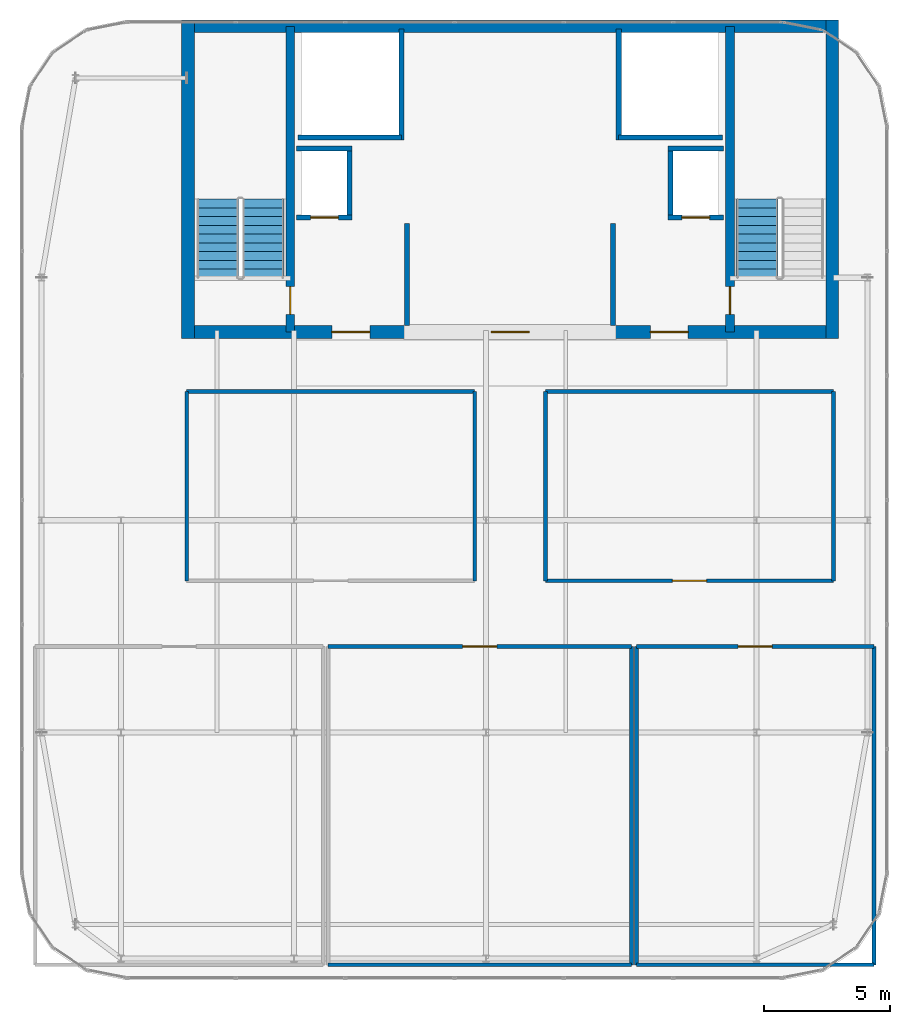
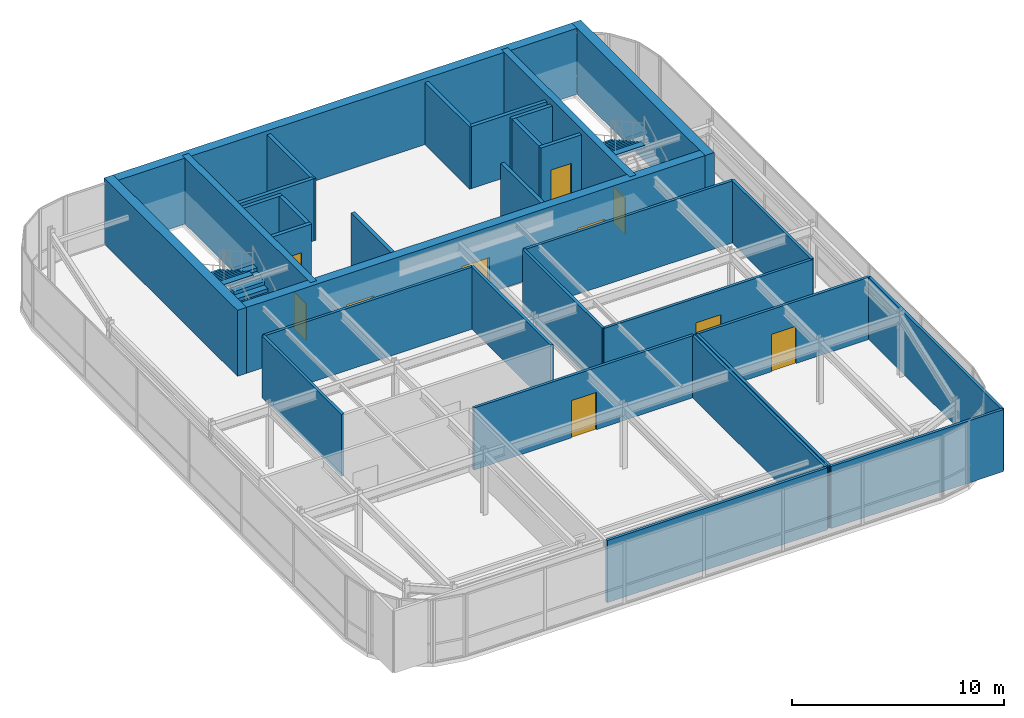
# One storey, part 34 of 36: 32 walls, 10 doors, 3 stair flights, 10 openings, 2 elements without a shape of their own.
"""IFC4 building model written with IfcOpenShell, lengths in metres."""

from ifc_helpers import new_model, si_unit, direction, frame, frame_2d, origin, place, context, subcontext, project, spatial, polyline, rectangle, outline, extrude, source, transform, mapped, material, layer, layer_set, type_object, type_shapes, element, fill, aggregate, save


model = new_model("IFC4")

# Units and contexts
model_context = context("Model", 3, precision=1e-05, world=origin(), true_north=direction((0.0, 1.0)))
body_context = subcontext(model_context, "Body", "Model", "MODEL_VIEW")
ifc_project = project(units=[si_unit("LENGTHUNIT", "METRE"), si_unit("AREAUNIT", "SQUARE_METRE"), si_unit("VOLUMEUNIT", "CUBIC_METRE"), si_unit("PLANEANGLEUNIT", "RADIAN"), si_unit("MASSUNIT", "GRAM", prefix="KILO")], contexts=[model_context])

# Site, building, storey
site_placement = place(None, origin())
site = spatial("IfcSite", under=ifc_project, at=site_placement, CompositionType="ELEMENT")
building_placement = place(site_placement, origin())
building = spatial("IfcBuilding", under=site, at=building_placement, Name="Tolvann Quenvar Hotel", CompositionType="ELEMENT")
storey_placement = place(building_placement, frame((0.0, 0.0, 306.14990234375)))
storey = spatial("IfcBuildingStorey", under=building, at=storey_placement, Name="L81", CompositionType="ELEMENT", Elevation=306.14990234375)

# Wall, openings, doors
ifc_material_1 = material(Name="Concrete N50 (50 MPa)", Category="concrete")
ifc_layer_1 = layer(ifc_material_1, 0.5)
ifc_layer_set_1 = layer_set([ifc_layer_1], Name="Concrete N50 (50 MPa)")
wall_type_1 = type_object("IfcWallType", Name="WALL_CORE_500", PredefinedType="SHEAR", material=ifc_layer_set_1)
wall_1_placement = place(storey_placement, frame((10.0, 31.85009765625, 0.0), z_axis=(0.0, 0.0, 1.0), x_axis=(1.0, 0.0, 0.0)))
wall_1 = element("IfcWall", 1, at=wall_1_placement, inside=storey, type_object=wall_type_1, Name="Rear Core S Shear Wall (L81)", PredefinedType="SHEAR", context=body_context, shape_type="SweptSolid", body=[
    extrude(rectangle(XDim=26.0, YDim=0.5, at=frame_2d((13.0, 0.0))), origin(), (0.0, 0.0, 1.0), 3.800048828125),
])
opening_1_placement = place(wall_1_placement, frame((7.449951171875, 0.0, 0.0), z_axis=(0.0, 0.0, 1.0), x_axis=(-1.0, 0.0, 0.0)))
opening_1 = element("IfcOpeningElement", 2, at=opening_1_placement, cuts=wall_1, Name="Opening FD-60D", PredefinedType="OPENING", context=body_context, shape_type="SweptSolid", body=[
    extrude(rectangle(XDim=1.5, YDim=2.0400390625, at=frame_2d((0.75, 1.02001953125))), frame((0.0, 0.260009765625, 0.0), z_axis=(0.0, -1.0, 0.0), x_axis=(1.0, 0.0, 0.0)), (0.0, 0.0, 1.0), 0.52001953125),
])
opening_2_placement = place(wall_1_placement, frame((13.75, 0.0, 0.0), z_axis=(0.0, 0.0, 1.0), x_axis=(-1.0, 0.0, 0.0)))
opening_2 = element("IfcOpeningElement", 3, at=opening_2_placement, cuts=wall_1, Name="Opening FD-60D", PredefinedType="OPENING", context=body_context, shape_type="SweptSolid", body=[
    extrude(rectangle(XDim=1.5, YDim=2.0400390625, at=frame_2d((0.75, 1.02001953125))), frame((0.0, 0.260009765625, 0.0), z_axis=(0.0, -1.0, 0.0), x_axis=(1.0, 0.0, 0.0)), (0.0, 0.0, 1.0), 0.52001953125),
])
opening_3_placement = place(wall_1_placement, frame((20.050048828125, 0.0, 0.0), z_axis=(0.0, 0.0, 1.0), x_axis=(-1.0, 0.0, 0.0)))
opening_3 = element("IfcOpeningElement", 4, at=opening_3_placement, cuts=wall_1, Name="Opening FD-60D", PredefinedType="OPENING", context=body_context, shape_type="SweptSolid", body=[
    extrude(rectangle(XDim=1.5, YDim=2.0400390625, at=frame_2d((0.75, 1.02001953125))), frame((0.0, 0.260009765625, 0.0), z_axis=(0.0, -1.0, 0.0), x_axis=(1.0, 0.0, 0.0)), (0.0, 0.0, 1.0), 0.52001953125),
])
ifc_material_2 = material(Name="Solid-core American oak acoustic fire door leaf in steel frame", Category="steel")
door_type_1 = type_object("IfcDoorType", Name="DOOR_FIRE_LOBBY_1500", OperationType="NOTDEFINED", PredefinedType="DOOR", material=ifc_material_2)
shared_shape_1 = source(origin(), body_context, "Body", "SweptSolid", [
    extrude(rectangle(XDim=1.5, YDim=2.0400390625, at=frame_2d((0.75, 1.02001953125))), frame((0.0, 0.02490234375, 0.0), z_axis=(0.0, -1.0, 0.0), x_axis=(1.0, 0.0, 0.0)), (0.0, 0.0, 1.0), 0.050048828125),
])
type_shapes(door_type_1, [shared_shape_1])
door_1_placement = place(opening_1_placement, origin())
door_1 = element("IfcDoor", 5, at=door_1_placement, inside=storey, type_object=door_type_1, Name="Core Lobby Fire Door FFW (L81)", OperationType="DOUBLE_DOOR_SINGLE_SWING", OverallHeight=2.0400390625, OverallWidth=1.5, PredefinedType="DOOR", context=body_context, shape_type="MappedRepresentation", body=[
    mapped(shared_shape_1, transform((0.0, 0.0, 0.0), x_axis=(1.0, 0.0, 0.0), y_axis=(0.0, 1.0, 0.0), z_axis=(0.0, 0.0, 1.0), scale=1.0)),
])
fill(opening_1, door_1)
door_2_placement = place(opening_2_placement, origin())
door_2 = element("IfcDoor", 6, at=door_2_placement, inside=storey, type_object=door_type_1, Name="Core Lobby Fire Door CLOB (L81)", OperationType="DOUBLE_DOOR_SINGLE_SWING", OverallHeight=2.0400390625, OverallWidth=1.5, PredefinedType="DOOR", context=body_context, shape_type="MappedRepresentation", body=[
    mapped(shared_shape_1, transform((0.0, 0.0, 0.0), x_axis=(1.0, 0.0, 0.0), y_axis=(0.0, 1.0, 0.0), z_axis=(0.0, 0.0, 1.0), scale=1.0)),
])
fill(opening_2, door_2)
door_3_placement = place(opening_3_placement, origin())
door_3 = element("IfcDoor", 7, at=door_3_placement, inside=storey, type_object=door_type_1, Name="Core Lobby Fire Door FFE (L81)", OperationType="DOUBLE_DOOR_SINGLE_SWING", OverallHeight=2.0400390625, OverallWidth=1.5, PredefinedType="DOOR", context=body_context, shape_type="MappedRepresentation", body=[
    mapped(shared_shape_1, transform((0.0, 0.0, 0.0), x_axis=(1.0, 0.0, 0.0), y_axis=(0.0, 1.0, 0.0), z_axis=(0.0, 0.0, 1.0), scale=1.0)),
])
fill(opening_3, door_3)

# Walls
wall_2_placement = place(storey_placement, frame((10.0, 43.949951171875, 0.0), z_axis=(0.0, 0.0, 1.0), x_axis=(1.0, 0.0, 0.0)))
element("IfcWall", 8, at=wall_2_placement, inside=storey, type_object=wall_type_1, Name="Rear Core N Shear Wall (L81)", PredefinedType="SHEAR", context=body_context, shape_type="SweptSolid", body=[
    extrude(rectangle(XDim=26.0, YDim=0.5, at=frame_2d((13.0, 0.0))), origin(), (0.0, 0.0, 1.0), 3.800048828125),
])
for number, where, z_axis, x_axis, name in (
    (9, (10.25, 31.60009765625, 0.0), (0.0, 0.0, 1.0), (0.0, 1.0, 0.0), "Rear Core W Shear Wall (L81)"),
    (10, (35.75, 31.60009765625, 0.0), (0.0, 0.0, 1.0), (0.0, 1.0, 0.0), "Rear Core E Shear Wall (L81)"),
):
    element("IfcWall", number, at=place(storey_placement, frame(where, z_axis=z_axis, x_axis=x_axis)), inside=storey, type_object=wall_type_1, Name=name, PredefinedType="SHEAR", context=body_context, shape_type="SweptSolid", body=[
        extrude(rectangle(XDim=12.599853515625, YDim=0.5, at=frame_2d((6.2998046875, 0.0))), origin(), (0.0, 0.0, 1.0), 3.800048828125),
    ])

# Wall, opening, door
ifc_material_3 = material(Name="Concrete S65 (65 MPa)", Category="concrete")
ifc_layer_2 = layer(ifc_material_3, 0.35009765625)
ifc_layer_set_2 = layer_set([ifc_layer_2], Name="Concrete S65 (65 MPa)")
wall_type_2 = type_object("IfcWallType", Name="WALL_CORE_INT_350", PredefinedType="SHEAR", material=ifc_layer_set_2)
wall_3_placement = place(storey_placement, frame((14.300048828125, 31.85009765625, 0.0), z_axis=(0.0, 0.0, 1.0), x_axis=(0.0, 1.0, 0.0)))
wall_3 = element("IfcWall", 11, at=wall_3_placement, inside=storey, type_object=wall_type_2, Name="Core Internal Web Shear Wall WEB-W (L81)", PredefinedType="SHEAR", context=body_context, shape_type="SweptSolid", body=[
    extrude(rectangle(XDim=12.099853515625, YDim=0.35009765625, at=frame_2d((6.0498046875, 0.0))), origin(), (0.0, 0.0, 1.0), 3.800048828125),
])
opening_4_placement = place(wall_3_placement, frame((0.699951171875, 0.0, 0.0)))
opening_4 = element("IfcOpeningElement", 12, at=opening_4_placement, cuts=wall_3, Name="Opening FD-120", PredefinedType="OPENING", context=body_context, shape_type="SweptSolid", body=[
    extrude(rectangle(XDim=1.10009765625, YDim=2.1201171875, at=frame_2d((0.550048828125, 1.06005859375))), frame((0.0, 0.18505859375, 0.0), z_axis=(0.0, -1.0, 0.0), x_axis=(1.0, 0.0, 0.0)), (0.0, 0.0, 1.0), 0.3701171875),
])
ifc_material_4 = material(Name="Pressed galvanised steel fire-rated door set", Category="steel")
door_type_2 = type_object("IfcDoorType", Name="DOOR_FIRE_STAIR_1100", OperationType="NOTDEFINED", PredefinedType="DOOR", material=ifc_material_4)
shared_shape_2 = source(origin(), body_context, "Body", "SweptSolid", [
    extrude(rectangle(XDim=1.10009765625, YDim=2.1201171875, at=frame_2d((0.550048828125, 1.06005859375))), frame((0.0, 0.02490234375, 0.0), z_axis=(0.0, -1.0, 0.0), x_axis=(1.0, 0.0, 0.0)), (0.0, 0.0, 1.0), 0.050048828125),
])
type_shapes(door_type_2, [shared_shape_2])
door_4_placement = place(opening_4_placement, origin())
door_4 = element("IfcDoor", 13, at=door_4_placement, inside=storey, type_object=door_type_2, Name="Exit Stair ST-C1 Fire Door (L81)", OperationType="SINGLE_SWING_LEFT", OverallHeight=2.1201171875, OverallWidth=1.10009765625, PredefinedType="DOOR", context=body_context, shape_type="MappedRepresentation", body=[
    mapped(shared_shape_2, transform((0.0, 0.0, 0.0), x_axis=(1.0, 0.0, 0.0), y_axis=(0.0, 1.0, 0.0), z_axis=(0.0, 0.0, 1.0), scale=1.0)),
])
fill(opening_4, door_4)

wall_4_placement = place(storey_placement, frame((31.699951171875, 31.85009765625, 0.0), z_axis=(0.0, 0.0, 1.0), x_axis=(0.0, 1.0, 0.0)))
wall_4 = element("IfcWall", 14, at=wall_4_placement, inside=storey, type_object=wall_type_2, Name="Core Internal Web Shear Wall WEB-E (L81)", PredefinedType="SHEAR", context=body_context, shape_type="SweptSolid", body=[
    extrude(rectangle(XDim=12.099853515625, YDim=0.35009765625, at=frame_2d((6.0498046875, 0.0))), origin(), (0.0, 0.0, 1.0), 3.800048828125),
])
opening_5_placement = place(wall_4_placement, frame((1.800048828125, 0.0, 0.0), z_axis=(0.0, 0.0, 1.0), x_axis=(-1.0, 0.0, 0.0)))
opening_5 = element("IfcOpeningElement", 15, at=opening_5_placement, cuts=wall_4, Name="Opening FD-120", PredefinedType="OPENING", context=body_context, shape_type="SweptSolid", body=[
    extrude(rectangle(XDim=1.10009765625, YDim=2.1201171875, at=frame_2d((0.550048828125, 1.06005859375))), frame((0.0, 0.18505859375, 0.0), z_axis=(0.0, -1.0, 0.0), x_axis=(1.0, 0.0, 0.0)), (0.0, 0.0, 1.0), 0.3701171875),
])
door_5_placement = place(opening_5_placement, origin())
door_5 = element("IfcDoor", 16, at=door_5_placement, inside=storey, type_object=door_type_2, Name="Exit Stair ST-C2 Fire Door (L81)", OperationType="SINGLE_SWING_RIGHT", OverallHeight=2.1201171875, OverallWidth=1.10009765625, PredefinedType="DOOR", context=body_context, shape_type="MappedRepresentation", body=[
    mapped(shared_shape_2, transform((0.0, 0.0, 0.0), x_axis=(1.0, 0.0, 0.0), y_axis=(0.0, 1.0, 0.0), z_axis=(0.0, 0.0, 1.0), scale=1.0)),
])
fill(opening_5, door_5)

# Wall
ifc_material_5 = material(Name="Acoustic twin-stud fire-rated gypsum plasterboard partition")
ifc_layer_3 = layer(ifc_material_5, 0.14990234375)
ifc_layer_set_3 = layer_set([ifc_layer_3], Name="Acoustic twin-stud fire-rated gypsum plasterboard partition")
wall_type_3 = type_object("IfcWallType", Name="WALL_PART_SUITE_150", PredefinedType="PARTITIONING", material=ifc_layer_set_3)
wall_5_placement = place(storey_placement, frame((15.800048828125, 6.800048828125, 0.0), z_axis=(0.0, 0.0, 1.0), x_axis=(1.0, 0.0, 0.0)))
element("IfcWall", 17, at=wall_5_placement, inside=storey, type_object=wall_type_3, Name="Interior Partition PT-SPC-L81-HRC-S", PredefinedType="PARTITIONING", context=body_context, shape_type="SweptSolid", body=[
    extrude(rectangle(XDim=12.0, YDim=0.14990234375, at=frame_2d((6.0, 0.0))), origin(), (0.0, 0.0, 1.0), 3.580078125),
])

# Wall, opening, door
wall_6_placement = place(storey_placement, frame((15.800048828125, 19.39990234375, 0.0), z_axis=(0.0, 0.0, 1.0), x_axis=(1.0, 0.0, 0.0)))
wall_6 = element("IfcWall", 18, at=wall_6_placement, inside=storey, type_object=wall_type_3, Name="Interior Partition PT-SPC-L81-HRC-N", PredefinedType="PARTITIONING", context=body_context, shape_type="SweptSolid", body=[
    extrude(rectangle(XDim=12.0, YDim=0.14990234375, at=frame_2d((6.0, 0.0))), origin(), (0.0, 0.0, 1.0), 3.580078125),
])
opening_6_placement = place(wall_6_placement, frame((5.324951171875, 0.0, 0.0)))
opening_6 = element("IfcOpeningElement", 19, at=opening_6_placement, cuts=wall_6, Name="Opening PD-01", PredefinedType="OPENING", context=body_context, shape_type="SweptSolid", body=[
    extrude(rectangle(XDim=1.35009765625, YDim=2.14990234375, at=frame_2d((0.675048828125, 1.074951171875))), frame((0.0, 0.0849609375, 0.0), z_axis=(0.0, -1.0, 0.0), x_axis=(1.0, 0.0, 0.0)), (0.0, 0.0, 1.0), 0.169921875),
])
door_type_3 = type_object("IfcDoorType", Name="DOOR_PLANT_1350", OperationType="NOTDEFINED", PredefinedType="DOOR", material=ifc_material_4)
shared_shape_3 = source(origin(), body_context, "Body", "SweptSolid", [
    extrude(rectangle(XDim=1.35009765625, YDim=2.14990234375, at=frame_2d((0.675048828125, 1.074951171875))), frame((0.0, 0.02490234375, 0.0), z_axis=(0.0, -1.0, 0.0), x_axis=(1.0, 0.0, 0.0)), (0.0, 0.0, 1.0), 0.050048828125),
])
type_shapes(door_type_3, [shared_shape_3])
door_6_placement = place(opening_6_placement, origin())
door_6 = element("IfcDoor", 20, at=door_6_placement, inside=storey, type_object=door_type_3, Name="Interior Door DOOR-SPC-L81-HRC", OperationType="DOUBLE_DOOR_SINGLE_SWING", OverallHeight=2.14990234375, OverallWidth=1.35009765625, PredefinedType="DOOR", context=body_context, shape_type="MappedRepresentation", body=[
    mapped(shared_shape_3, transform((0.0, 0.0, 0.0), x_axis=(1.0, 0.0, 0.0), y_axis=(0.0, 1.0, 0.0), z_axis=(0.0, 0.0, 1.0), scale=1.0)),
])
fill(opening_6, door_6)

# Walls
wall_7_placement = place(storey_placement, frame((27.800048828125, 6.800048828125, 0.0), z_axis=(0.0, 0.0, 1.0), x_axis=(0.0, 1.0, 0.0)))
element("IfcWall", 21, at=wall_7_placement, inside=storey, type_object=wall_type_3, Name="Interior Partition PT-SPC-L81-HRC-E", PredefinedType="PARTITIONING", context=body_context, shape_type="SweptSolid", body=[
    extrude(rectangle(XDim=12.599853515625, YDim=0.14990234375, at=frame_2d((6.2998046875, 0.0))), origin(), (0.0, 0.0, 1.0), 3.580078125),
])
wall_8_placement = place(storey_placement, frame((28.0, 6.800048828125, 0.0), z_axis=(0.0, 0.0, 1.0), x_axis=(1.0, 0.0, 0.0)))
element("IfcWall", 22, at=wall_8_placement, inside=storey, type_object=wall_type_3, Name="Interior Partition PT-SPC-L81-PMP-S", PredefinedType="PARTITIONING", context=body_context, shape_type="SweptSolid", body=[
    extrude(rectangle(XDim=9.39990234375, YDim=0.14990234375, at=frame_2d((4.699951171875, 0.0))), origin(), (0.0, 0.0, 1.0), 3.580078125),
])

# Wall, opening, door
wall_9_placement = place(storey_placement, frame((28.0, 19.39990234375, 0.0), z_axis=(0.0, 0.0, 1.0), x_axis=(1.0, 0.0, 0.0)))
wall_9 = element("IfcWall", 23, at=wall_9_placement, inside=storey, type_object=wall_type_3, Name="Interior Partition PT-SPC-L81-PMP-N", PredefinedType="PARTITIONING", context=body_context, shape_type="SweptSolid", body=[
    extrude(rectangle(XDim=9.39990234375, YDim=0.14990234375, at=frame_2d((4.699951171875, 0.0))), origin(), (0.0, 0.0, 1.0), 3.580078125),
])
opening_7_placement = place(wall_9_placement, frame((4.02490234375, 0.0, 0.0)))
opening_7 = element("IfcOpeningElement", 24, at=opening_7_placement, cuts=wall_9, Name="Opening PD-01", PredefinedType="OPENING", context=body_context, shape_type="SweptSolid", body=[
    extrude(rectangle(XDim=1.35009765625, YDim=2.14990234375, at=frame_2d((0.675048828125, 1.074951171875))), frame((0.0, 0.0849609375, 0.0), z_axis=(0.0, -1.0, 0.0), x_axis=(1.0, 0.0, 0.0)), (0.0, 0.0, 1.0), 0.169921875),
])
door_7_placement = place(opening_7_placement, origin())
door_7 = element("IfcDoor", 25, at=door_7_placement, inside=storey, type_object=door_type_3, Name="Interior Door DOOR-SPC-L81-PMP", OperationType="DOUBLE_DOOR_SINGLE_SWING", OverallHeight=2.14990234375, OverallWidth=1.35009765625, PredefinedType="DOOR", context=body_context, shape_type="MappedRepresentation", body=[
    mapped(shared_shape_3, transform((0.0, 0.0, 0.0), x_axis=(1.0, 0.0, 0.0), y_axis=(0.0, 1.0, 0.0), z_axis=(0.0, 0.0, 1.0), scale=1.0)),
])
fill(opening_7, door_7)

# Walls
for number, where, z_axis, x_axis, name in (
    (26, (28.0, 6.800048828125, 0.0), (0.0, 0.0, 1.0), (0.0, 1.0, 0.0), "Interior Partition PT-SPC-L81-PMP-W"),
    (27, (37.39990234375, 6.800048828125, 0.0), (0.0, 0.0, 1.0), (0.0, 1.0, 0.0), "Interior Partition PT-SPC-L81-PMP-E"),
):
    element("IfcWall", number, at=place(storey_placement, frame(where, z_axis=z_axis, x_axis=x_axis)), inside=storey, type_object=wall_type_3, Name=name, PredefinedType="PARTITIONING", context=body_context, shape_type="SweptSolid", body=[
        extrude(rectangle(XDim=12.599853515625, YDim=0.14990234375, at=frame_2d((6.2998046875, 0.0))), origin(), (0.0, 0.0, 1.0), 3.580078125),
    ])
wall_10_placement = place(storey_placement, frame((10.199951171875, 29.5, 0.0), z_axis=(0.0, 0.0, 1.0), x_axis=(1.0, 0.0, 0.0)))
element("IfcWall", 28, at=wall_10_placement, inside=storey, type_object=wall_type_3, Name="Interior Partition PT-SPC-L81-MNT-N", PredefinedType="PARTITIONING", context=body_context, shape_type="SweptSolid", body=[
    extrude(rectangle(XDim=11.400146484375, YDim=0.14990234375, at=frame_2d((5.7001953125, 0.0))), origin(), (0.0, 0.0, 1.0), 3.580078125),
])
for number, where, z_axis, x_axis, name in (
    (29, (10.199951171875, 22.0, 0.0), (0.0, 0.0, 1.0), (0.0, 1.0, 0.0), "Interior Partition PT-SPC-L81-MNT-W"),
    (30, (21.60009765625, 22.0, 0.0), (0.0, 0.0, 1.0), (0.0, 1.0, 0.0), "Interior Partition PT-SPC-L81-MNT-E"),
):
    element("IfcWall", number, at=place(storey_placement, frame(where, z_axis=z_axis, x_axis=x_axis)), inside=storey, type_object=wall_type_3, Name=name, PredefinedType="PARTITIONING", context=body_context, shape_type="SweptSolid", body=[
        extrude(rectangle(XDim=7.5, YDim=0.14990234375, at=frame_2d((3.75, 0.0))), origin(), (0.0, 0.0, 1.0), 3.580078125),
    ])

# Wall, opening, door
wall_11_placement = place(storey_placement, frame((24.39990234375, 22.0, 0.0), z_axis=(0.0, 0.0, 1.0), x_axis=(1.0, 0.0, 0.0)))
wall_11 = element("IfcWall", 31, at=wall_11_placement, inside=storey, type_object=wall_type_3, Name="Interior Partition PT-SPC-L81-SOL-S", PredefinedType="PARTITIONING", context=body_context, shape_type="SweptSolid", body=[
    extrude(rectangle(XDim=11.400146484375, YDim=0.14990234375, at=frame_2d((5.7001953125, 0.0))), origin(), (0.0, 0.0, 1.0), 3.580078125),
])
opening_8_placement = place(wall_11_placement, frame((5.02490234375, 0.0, 0.0)))
opening_8 = element("IfcOpeningElement", 32, at=opening_8_placement, cuts=wall_11, Name="Opening PD-01", PredefinedType="OPENING", context=body_context, shape_type="SweptSolid", body=[
    extrude(rectangle(XDim=1.35009765625, YDim=2.14990234375, at=frame_2d((0.675048828125, 1.074951171875))), frame((0.0, 0.0849609375, 0.0), z_axis=(0.0, -1.0, 0.0), x_axis=(1.0, 0.0, 0.0)), (0.0, 0.0, 1.0), 0.169921875),
])
door_8_placement = place(opening_8_placement, origin())
door_8 = element("IfcDoor", 33, at=door_8_placement, inside=storey, type_object=door_type_3, Name="Interior Door DOOR-SPC-L81-SOL", OperationType="DOUBLE_DOOR_SINGLE_SWING", OverallHeight=2.14990234375, OverallWidth=1.35009765625, PredefinedType="DOOR", context=body_context, shape_type="MappedRepresentation", body=[
    mapped(shared_shape_3, transform((0.0, 0.0, 0.0), x_axis=(1.0, 0.0, 0.0), y_axis=(0.0, 1.0, 0.0), z_axis=(0.0, 0.0, 1.0), scale=1.0)),
])
fill(opening_8, door_8)

# Walls
wall_12_placement = place(storey_placement, frame((24.39990234375, 29.5, 0.0), z_axis=(0.0, 0.0, 1.0), x_axis=(1.0, 0.0, 0.0)))
element("IfcWall", 34, at=wall_12_placement, inside=storey, type_object=wall_type_3, Name="Interior Partition PT-SPC-L81-SOL-N", PredefinedType="PARTITIONING", context=body_context, shape_type="SweptSolid", body=[
    extrude(rectangle(XDim=11.400146484375, YDim=0.14990234375, at=frame_2d((5.7001953125, 0.0))), origin(), (0.0, 0.0, 1.0), 3.580078125),
])
for number, where, z_axis, x_axis, name in (
    (35, (24.39990234375, 22.0, 0.0), (0.0, 0.0, 1.0), (0.0, 1.0, 0.0), "Interior Partition PT-SPC-L81-SOL-W"),
    (36, (35.800048828125, 22.0, 0.0), (0.0, 0.0, 1.0), (0.0, 1.0, 0.0), "Interior Partition PT-SPC-L81-SOL-E"),
):
    element("IfcWall", number, at=place(storey_placement, frame(where, z_axis=z_axis, x_axis=x_axis)), inside=storey, type_object=wall_type_3, Name=name, PredefinedType="PARTITIONING", context=body_context, shape_type="SweptSolid", body=[
        extrude(rectangle(XDim=7.5, YDim=0.14990234375, at=frame_2d((3.75, 0.0))), origin(), (0.0, 0.0, 1.0), 3.580078125),
    ])
ifc_material_6 = material(Name="Concrete N40 (40 MPa)", Category="concrete")
ifc_layer_4 = layer(ifc_material_6, 0.199951171875)
ifc_layer_set_4 = layer_set([ifc_layer_4], Name="Concrete N40 (40 MPa)")
wall_type_4 = type_object("IfcWallType", Name="WALL_SHAFT_200", PredefinedType="SOLIDWALL", material=ifc_layer_set_4)
wall_13_placement = place(storey_placement, frame((18.699951171875, 39.449951171875, 0.0), z_axis=(0.0, 0.0, 1.0), x_axis=(0.0, 1.0, 0.0)))
element("IfcWall", 37, at=wall_13_placement, inside=storey, type_object=wall_type_4, Name="Service Riser W Shaft Wall IN (L81)", PredefinedType="SOLIDWALL", context=body_context, shape_type="SweptSolid", body=[
    extrude(rectangle(XDim=4.400146484375, YDim=0.199951171875, at=frame_2d((2.2001953125, 0.0))), origin(), (0.0, 0.0, 1.0), 3.580078125),
])
wall_14_placement = place(storey_placement, frame((14.60009765625, 39.550048828125, 0.0), z_axis=(0.0, 0.0, 1.0), x_axis=(1.0, 0.0, 0.0)))
element("IfcWall", 38, at=wall_14_placement, inside=storey, type_object=wall_type_4, Name="Service Riser W Shaft Wall S (L81)", PredefinedType="SOLIDWALL", context=body_context, shape_type="SweptSolid", body=[
    extrude(rectangle(XDim=4.099853515625, YDim=0.199951171875, at=frame_2d((2.0498046875, 0.0))), origin(), (0.0, 0.0, 1.0), 3.580078125),
])
wall_15_placement = place(storey_placement, frame((27.300048828125, 39.449951171875, 0.0), z_axis=(0.0, 0.0, 1.0), x_axis=(0.0, 1.0, 0.0)))
element("IfcWall", 39, at=wall_15_placement, inside=storey, type_object=wall_type_4, Name="Service Riser E Shaft Wall IN (L81)", PredefinedType="SOLIDWALL", context=body_context, shape_type="SweptSolid", body=[
    extrude(rectangle(XDim=4.400146484375, YDim=0.199951171875, at=frame_2d((2.2001953125, 0.0))), origin(), (0.0, 0.0, 1.0), 3.580078125),
])
wall_16_placement = place(storey_placement, frame((27.300048828125, 39.550048828125, 0.0), z_axis=(0.0, 0.0, 1.0), x_axis=(1.0, 0.0, 0.0)))
element("IfcWall", 40, at=wall_16_placement, inside=storey, type_object=wall_type_4, Name="Service Riser E Shaft Wall S (L81)", PredefinedType="SOLIDWALL", context=body_context, shape_type="SweptSolid", body=[
    extrude(rectangle(XDim=4.099853515625, YDim=0.199951171875, at=frame_2d((2.0498046875, 0.0))), origin(), (0.0, 0.0, 1.0), 3.580078125),
])
for number, where, z_axis, x_axis, name in (
    (41, (18.919921875, 32.10400390625, 0.0), (0.0, 0.0, 1.0), (0.0, 1.0, 0.0), "Firefighting Lobby W Inner Fire Wall (L81)"),
    (42, (27.080078125, 32.10400390625, 0.0), (0.0, 0.0, 1.0), (0.0, 1.0, 0.0), "Firefighting Lobby E Inner Fire Wall (L81)"),
):
    element("IfcWall", number, at=place(storey_placement, frame(where, z_axis=z_axis, x_axis=x_axis)), inside=storey, type_object=wall_type_4, Name=name, PredefinedType="SOLIDWALL", context=body_context, shape_type="SweptSolid", body=[
        extrude(rectangle(XDim=4.0458984375, YDim=0.199951171875, at=frame_2d((2.02294921875, 0.0))), origin(), (0.0, 0.0, 1.0), 3.580078125),
    ])

# Wall, opening, door
wall_17_placement = place(storey_placement, frame((29.25, 36.3798828125, 0.0), z_axis=(0.0, 0.0, 1.0), x_axis=(1.0, 0.0, 0.0)))
wall_17 = element("IfcWall", 43, at=wall_17_placement, inside=storey, type_object=wall_type_4, Name="Lift Bank SEC1 Hoistway Front Wall (L81)", PredefinedType="SOLIDWALL", context=body_context, shape_type="SweptSolid", body=[
    extrude(rectangle(XDim=2.199951171875, YDim=0.199951171875, at=frame_2d((1.10009765625, 0.0))), origin(), (0.0, 0.0, 1.0), 3.580078125),
])
opening_9_placement = place(wall_17_placement, frame((0.550048828125, 0.0, 0.0)))
opening_9 = element("IfcOpeningElement", 44, at=opening_9_placement, cuts=wall_17, Name="Opening LD-01", PredefinedType="OPENING", context=body_context, shape_type="SweptSolid", body=[
    extrude(rectangle(XDim=1.10009765625, YDim=2.1201171875, at=frame_2d((0.550048828125, 1.06005859375))), frame((0.0, 0.10986328125, 0.0), z_axis=(0.0, -1.0, 0.0), x_axis=(1.0, 0.0, 0.0)), (0.0, 0.0, 1.0), 0.219970703125),
])
ifc_material_7 = material(Name="Brushed 316 stainless steel automatic sliding lift landing door", Category="steel")
door_type_4 = type_object("IfcDoorType", Name="DOOR_LIFT_SLIDE_1100", OperationType="NOTDEFINED", PredefinedType="DOOR", material=ifc_material_7)
shared_shape_4 = source(origin(), body_context, "Body", "SweptSolid", [
    extrude(rectangle(XDim=1.10009765625, YDim=2.1201171875, at=frame_2d((0.550048828125, 1.06005859375))), frame((0.0, 0.02490234375, 0.0), z_axis=(0.0, -1.0, 0.0), x_axis=(1.0, 0.0, 0.0)), (0.0, 0.0, 1.0), 0.050048828125),
])
type_shapes(door_type_4, [shared_shape_4])
door_9_placement = place(opening_9_placement, origin())
door_9 = element("IfcDoor", 45, at=door_9_placement, inside=storey, type_object=door_type_4, Name="Lift FF-2 Sliding Landing Door (L81)", OperationType="SLIDING_TO_RIGHT", OverallHeight=2.1201171875, OverallWidth=1.10009765625, PredefinedType="DOOR", context=body_context, shape_type="MappedRepresentation", body=[
    mapped(shared_shape_4, transform((0.0, 0.0, 0.0), x_axis=(1.0, 0.0, 0.0), y_axis=(0.0, 1.0, 0.0), z_axis=(0.0, 0.0, 1.0), scale=1.0)),
])
fill(opening_9, door_9)

# Walls
wall_18_placement = place(storey_placement, frame((29.25, 39.1201171875, 0.0), z_axis=(0.0, 0.0, 1.0), x_axis=(1.0, 0.0, 0.0)))
element("IfcWall", 46, at=wall_18_placement, inside=storey, type_object=wall_type_4, Name="Lift Bank SEC1 Hoistway Rear Wall (L81)", PredefinedType="SOLIDWALL", context=body_context, shape_type="SweptSolid", body=[
    extrude(rectangle(XDim=2.199951171875, YDim=0.199951171875, at=frame_2d((1.10009765625, 0.0))), origin(), (0.0, 0.0, 1.0), 3.580078125),
])
wall_19_placement = place(storey_placement, frame((29.35009765625, 36.47998046875, 0.0), z_axis=(0.0, 0.0, 1.0), x_axis=(0.0, 1.0, 0.0)))
element("IfcWall", 47, at=wall_19_placement, inside=storey, type_object=wall_type_4, Name="Lift Bank SEC1 Hoistway Cheek Wall 1 (L81)", PredefinedType="SOLIDWALL", context=body_context, shape_type="SweptSolid", body=[
    extrude(rectangle(XDim=2.5400390625, YDim=0.199951171875, at=frame_2d((1.27001953125, 0.0))), origin(), (0.0, 0.0, 1.0), 3.580078125),
])

# Wall, opening, door
wall_20_placement = place(storey_placement, frame((14.550048828125, 36.3798828125, 0.0), z_axis=(0.0, 0.0, 1.0), x_axis=(1.0, 0.0, 0.0)))
wall_20 = element("IfcWall", 48, at=wall_20_placement, inside=storey, type_object=wall_type_4, Name="Lift Bank SWC1 Hoistway Front Wall (L81)", PredefinedType="SOLIDWALL", context=body_context, shape_type="SweptSolid", body=[
    extrude(rectangle(XDim=2.199951171875, YDim=0.199951171875, at=frame_2d((1.10009765625, 0.0))), origin(), (0.0, 0.0, 1.0), 3.580078125),
])
opening_10_placement = place(wall_20_placement, frame((0.550048828125, 0.0, 0.0)))
opening_10 = element("IfcOpeningElement", 49, at=opening_10_placement, cuts=wall_20, Name="Opening LD-01", PredefinedType="OPENING", context=body_context, shape_type="SweptSolid", body=[
    extrude(rectangle(XDim=1.10009765625, YDim=2.1201171875, at=frame_2d((0.550048828125, 1.06005859375))), frame((0.0, 0.10986328125, 0.0), z_axis=(0.0, -1.0, 0.0), x_axis=(1.0, 0.0, 0.0)), (0.0, 0.0, 1.0), 0.219970703125),
])
door_10_placement = place(opening_10_placement, origin())
door_10 = element("IfcDoor", 50, at=door_10_placement, inside=storey, type_object=door_type_4, Name="Lift FF-1 Sliding Landing Door (L81)", OperationType="SLIDING_TO_LEFT", OverallHeight=2.1201171875, OverallWidth=1.10009765625, PredefinedType="DOOR", context=body_context, shape_type="MappedRepresentation", body=[
    mapped(shared_shape_4, transform((0.0, 0.0, 0.0), x_axis=(1.0, 0.0, 0.0), y_axis=(0.0, 1.0, 0.0), z_axis=(0.0, 0.0, 1.0), scale=1.0)),
])
fill(opening_10, door_10)

# Walls
wall_21_placement = place(storey_placement, frame((14.550048828125, 39.1201171875, 0.0), z_axis=(0.0, 0.0, 1.0), x_axis=(1.0, 0.0, 0.0)))
element("IfcWall", 51, at=wall_21_placement, inside=storey, type_object=wall_type_4, Name="Lift Bank SWC1 Hoistway Rear Wall (L81)", PredefinedType="SOLIDWALL", context=body_context, shape_type="SweptSolid", body=[
    extrude(rectangle(XDim=2.199951171875, YDim=0.199951171875, at=frame_2d((1.10009765625, 0.0))), origin(), (0.0, 0.0, 1.0), 3.580078125),
])
wall_22_placement = place(storey_placement, frame((16.64990234375, 36.47998046875, 0.0), z_axis=(0.0, 0.0, 1.0), x_axis=(0.0, 1.0, 0.0)))
element("IfcWall", 52, at=wall_22_placement, inside=storey, type_object=wall_type_4, Name="Lift Bank SWC1 Hoistway Cheek Wall 2 (L81)", PredefinedType="SOLIDWALL", context=body_context, shape_type="SweptSolid", body=[
    extrude(rectangle(XDim=2.5400390625, YDim=0.199951171875, at=frame_2d((1.27001953125, 0.0))), origin(), (0.0, 0.0, 1.0), 3.580078125),
])

# Stair, stair flights
stair_type = type_object("IfcStairType", Name="STAIR", PredefinedType="HALF_TURN_STAIR", material=ifc_material_6)
stair_1_placement = place(storey_placement, origin())
stair_1 = element("IfcStair", 53, at=stair_1_placement, inside=storey, type_object=stair_type, Name="L81 ST-C1", PredefinedType="HALF_TURN_STAIR")
stair_flight_type = type_object("IfcStairFlightType", Name="STAIR_FLIGHT", PredefinedType="STRAIGHT", material=ifc_material_6)
stair_flight_1_placement = place(storey_placement, frame((13.22509765625, 34.0, 0.0), z_axis=(0.0, 0.0, 1.0), x_axis=(0.0, 1.0, 0.0)))
stair_flight_1 = element("IfcStairFlight", 54, at=stair_flight_1_placement, type_object=stair_flight_type, Name="ST-C1 flight 1", NumberOfRisers=10, NumberOfTreads=9, PredefinedType="STRAIGHT", RiserHeight=0.19, TreadLength=0.345, context=body_context, shape_type="SweptSolid", body=[
    extrude(outline(polyline([(0.0, 0.0), (0.0, 0.18994140625), (0.344970703125, 0.18994140625), (0.344970703125, 0.3798828125), (0.68994140625, 0.3798828125), (0.68994140625, 0.570068359375), (1.034912109375, 0.570068359375), (1.034912109375, 0.760009765625), (1.3798828125, 0.760009765625), (1.3798828125, 0.949951171875), (1.72509765625, 0.949951171875), (1.72509765625, 1.139892578125), (2.070068359375, 1.139892578125), (2.070068359375, 1.330078125), (2.4150390625, 1.330078125), (2.4150390625, 1.52001953125), (2.760009765625, 1.52001953125), (2.760009765625, 1.7099609375), (3.10498046875, 1.7099609375), (3.10498046875, 1.89990234375), (3.10498046875, 1.538818359375), (0.310791015625, 0.0), (0.0, 0.0)])), frame((0.0, 0.824951171875, 0.0), z_axis=(0.0, -1.0, 0.0), x_axis=(1.0, 0.0, 0.0)), (0.0, 0.0, 1.0), 1.64990234375),
])
stair_flight_2_placement = place(storey_placement, frame((11.425048828125, 37.10498046875, 1.900146484375), z_axis=(0.0, 0.0, 1.0), x_axis=(0.0, -1.0, 0.0)))
stair_flight_2 = element("IfcStairFlight", 55, at=stair_flight_2_placement, type_object=stair_flight_type, Name="ST-C1 flight 2", NumberOfRisers=10, NumberOfTreads=9, PredefinedType="STRAIGHT", RiserHeight=0.19, TreadLength=0.345, context=body_context, shape_type="SweptSolid", body=[
    extrude(outline(polyline([(0.0, 0.0), (0.0, 0.18994140625), (0.344970703125, 0.18994140625), (0.344970703125, 0.3798828125), (0.68994140625, 0.3798828125), (0.68994140625, 0.570068359375), (1.034912109375, 0.570068359375), (1.034912109375, 0.760009765625), (1.3798828125, 0.760009765625), (1.3798828125, 0.949951171875), (1.72509765625, 0.949951171875), (1.72509765625, 1.139892578125), (2.070068359375, 1.139892578125), (2.070068359375, 1.330078125), (2.4150390625, 1.330078125), (2.4150390625, 1.52001953125), (2.760009765625, 1.52001953125), (2.760009765625, 1.7099609375), (3.10498046875, 1.7099609375), (3.10498046875, 1.89990234375), (3.10498046875, 1.538818359375), (0.310791015625, 0.0), (0.0, 0.0)])), frame((0.0, 0.824951171875, 0.0), z_axis=(0.0, -1.0, 0.0), x_axis=(1.0, 0.0, 0.0)), (0.0, 0.0, 1.0), 1.64990234375),
])
aggregate(stair_1, [stair_flight_1, stair_flight_2])

# Stair, stair flight
stair_2_placement = place(storey_placement, origin())
stair_2 = element("IfcStair", 56, at=stair_2_placement, inside=storey, type_object=stair_type, Name="L81 ST-C2", PredefinedType="HALF_TURN_STAIR")
stair_flight_3_placement = place(storey_placement, frame((32.77490234375, 37.10498046875, 1.900146484375), z_axis=(0.0, 0.0, 1.0), x_axis=(0.0, -1.0, 0.0)))
stair_flight_3 = element("IfcStairFlight", 57, at=stair_flight_3_placement, type_object=stair_flight_type, Name="ST-C2 flight 2", NumberOfRisers=10, NumberOfTreads=9, PredefinedType="STRAIGHT", RiserHeight=0.19, TreadLength=0.345, context=body_context, shape_type="SweptSolid", body=[
    extrude(outline(polyline([(0.0, 0.0), (0.0, 0.18994140625), (0.344970703125, 0.18994140625), (0.344970703125, 0.3798828125), (0.68994140625, 0.3798828125), (0.68994140625, 0.570068359375), (1.034912109375, 0.570068359375), (1.034912109375, 0.760009765625), (1.3798828125, 0.760009765625), (1.3798828125, 0.949951171875), (1.72509765625, 0.949951171875), (1.72509765625, 1.139892578125), (2.070068359375, 1.139892578125), (2.070068359375, 1.330078125), (2.4150390625, 1.330078125), (2.4150390625, 1.52001953125), (2.760009765625, 1.52001953125), (2.760009765625, 1.7099609375), (3.10498046875, 1.7099609375), (3.10498046875, 1.89990234375), (3.10498046875, 1.538818359375), (0.310791015625, 0.0), (0.0, 0.0)])), frame((0.0, 0.824951171875, 0.0), z_axis=(0.0, -1.0, 0.0), x_axis=(1.0, 0.0, 0.0)), (0.0, 0.0, 1.0), 1.64990234375),
])
aggregate(stair_2, [stair_flight_3])

save(model, "model.ifc")
